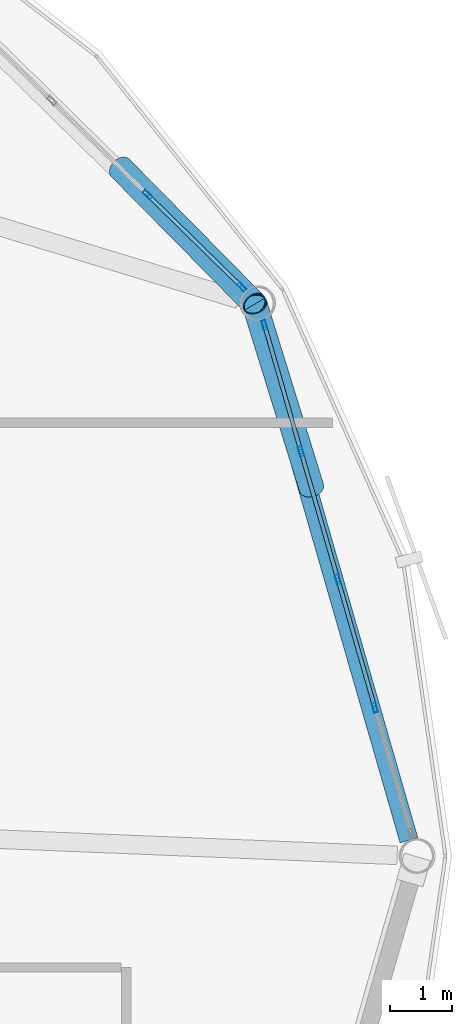
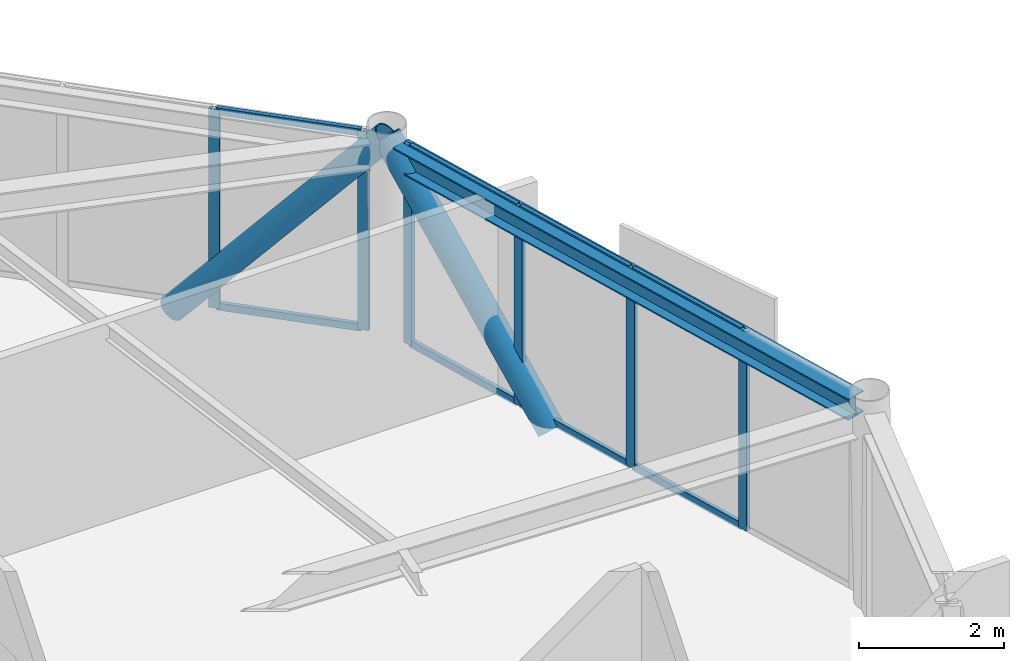
# One storey, part 17 of 26: 16 members, 1 beam, 2 elements without a shape of their own.
"""IFC4 building model written with IfcOpenShell, lengths in metres."""

from ifc_helpers import new_model, si_unit, direction, frame, origin, origin_2d, place, context, subcontext, project, spatial, hollow_rectangle, hollow_circle, i_section, extrude, material, layer, layer_set, material_profile, profile_set, type_object, element, aggregate, save


model = new_model("IFC4")

# Units and contexts
model_context = context("Model", 3, precision=1e-05, world=origin(), true_north=direction((0.0, 1.0)))
body_context = subcontext(model_context, "Body", "Model", "MODEL_VIEW")
ifc_project = project(units=[si_unit("LENGTHUNIT", "METRE"), si_unit("AREAUNIT", "SQUARE_METRE"), si_unit("VOLUMEUNIT", "CUBIC_METRE"), si_unit("PLANEANGLEUNIT", "RADIAN"), si_unit("MASSUNIT", "GRAM", prefix="KILO")], contexts=[model_context])

# Site, building, storey
site_placement = place(None, origin())
site = spatial("IfcSite", under=ifc_project, at=site_placement, CompositionType="ELEMENT")
building_placement = place(site_placement, origin())
building = spatial("IfcBuilding", under=site, at=building_placement, Name="Varnakorn Sky Granary", CompositionType="ELEMENT")
storey_placement = place(building_placement, frame((0.0, 0.0, 256.199951171875)))
storey = spatial("IfcBuildingStorey", under=building, at=storey_placement, Name="L65", CompositionType="ELEMENT", Elevation=256.199951171875)

# Beam
ifc_material_1 = material(Name="Steel S355JR", Category="steel")
ifc_material_profile_1 = material_profile(ifc_material_1, i_section(OverallWidth=0.300048828125, OverallDepth=0.360107421875, WebThickness=0.012451171875, FlangeThickness=0.0224609375, at=origin_2d()), Name="HE 360 B")
ifc_profile_set_1 = profile_set([ifc_material_profile_1], Name="Steel S355JR")
beam_type = type_object("IfcBeamType", Name="BM-SPD-Z5", PredefinedType="SPANDREL", material=ifc_profile_set_1)
beam_placement = place(storey_placement, frame((23.06884765625, 0.254150390625, 3.179931640625), z_axis=(-0.276662358979, 0.960967189411, 0.0), x_axis=(-0.960967189411, -0.276662358979, 0.0)))
element("IfcBeam", 1, at=beam_placement, inside=storey, type_object=beam_type, Name="Perimeter Spandrel Ring Beam RB01 L65", PredefinedType="SPANDREL", context=body_context, shape_type="SweptSolid", body=[
    extrude(i_section(OverallWidth=0.300048828125, OverallDepth=0.360107421875, WebThickness=0.012451171875, FlangeThickness=0.0224609375, at=origin_2d()), origin(), (0.0, 0.0, 1.0), 8.751220703125),
])

# Curtain wall, members
ifc_material_2 = material(Name="Anodised Bronze Aluminium Alloy 6063-T6", Category="aluminium")
ifc_layer = layer(ifc_material_2, 0.159912109375, Name="Anodised Bronze Aluminium Alloy 6063-T6")
ifc_layer_set = layer_set([ifc_layer], Name="Anodised Bronze Aluminium Alloy 6063-T6")
curtain_wall_type = type_object("IfcCurtainWallType", Name="CW-OFF-1", PredefinedType="USERDEFINED", material=ifc_layer_set)
curtain_wall_1_placement = place(storey_placement, origin())
curtain_wall_1 = element("IfcCurtainWall", 2, at=curtain_wall_1_placement, inside=storey, type_object=curtain_wall_type, Name="Unitised Curtain Wall CW6 CW-L65-B01", ObjectType="CURTAIN WALL", PredefinedType="USERDEFINED")
ifc_material_profile_2 = material_profile(ifc_material_2, hollow_rectangle(XDim=0.06494140625, YDim=0.159912109375, WallThickness=0.00341796875, at=origin_2d()), Name="ALU MULL 65x160")
ifc_profile_set_2 = profile_set([ifc_material_profile_2], Name="Anodised Bronze Aluminium Alloy 6063-T6")
member_type_1 = type_object("IfcMemberType", Name="CW-OFF-1-MULL", PredefinedType="MULLION", material=ifc_profile_set_2)
member_1_placement = place(storey_placement, frame((20.736328125, 8.57763671875, 0.0), z_axis=(0.0, 0.0, 1.0), x_axis=(0.960845569821, 0.277084447334, 0.0)))
member_1 = element("IfcMember", 3, at=member_1_placement, type_object=member_type_1, Name="CW6 mullion 1", PredefinedType="MULLION", context=body_context, shape_type="SweptSolid", body=[
    extrude(hollow_rectangle(XDim=0.06494140625, YDim=0.159912109375, WallThickness=0.00341796875, at=origin_2d()), origin(), (0.0, 0.0, 1.0), 3.360107421875),
])
member_2_placement = place(storey_placement, frame((21.324462890625, 6.5380859375, 0.0), z_axis=(0.0, 0.0, 1.0), x_axis=(0.960845569821, 0.277084447334, 0.0)))
member_2 = element("IfcMember", 4, at=member_2_placement, type_object=member_type_1, Name="CW6 mullion 2", PredefinedType="MULLION", context=body_context, shape_type="SweptSolid", body=[
    extrude(hollow_rectangle(XDim=0.06494140625, YDim=0.159912109375, WallThickness=0.00341796875, at=origin_2d()), origin(), (0.0, 0.0, 1.0), 3.360107421875),
])
member_3_placement = place(storey_placement, frame((21.921630859375, 4.467529296875, 0.0), z_axis=(0.0, 0.0, 1.0), x_axis=(0.960845569821, 0.277084447334, 0.0)))
member_3 = element("IfcMember", 5, at=member_3_placement, type_object=member_type_1, Name="CW6 mullion 3", PredefinedType="MULLION", context=body_context, shape_type="SweptSolid", body=[
    extrude(hollow_rectangle(XDim=0.06494140625, YDim=0.159912109375, WallThickness=0.00341796875, at=origin_2d()), origin(), (0.0, 0.0, 1.0), 3.360107421875),
])
member_4_placement = place(storey_placement, frame((22.518798828125, 2.396728515625, 0.0), z_axis=(0.0, 0.0, 1.0), x_axis=(0.960845569821, 0.277084447334, 0.0)))
member_4 = element("IfcMember", 6, at=member_4_placement, type_object=member_type_1, Name="CW6 mullion 4", PredefinedType="MULLION", context=body_context, shape_type="SweptSolid", body=[
    extrude(hollow_rectangle(XDim=0.06494140625, YDim=0.159912109375, WallThickness=0.00341796875, at=origin_2d()), origin(), (0.0, 0.0, 1.0), 3.360107421875),
])

curtain_wall_2_placement = place(storey_placement, origin())
curtain_wall_2 = element("IfcCurtainWall", 7, at=curtain_wall_2_placement, inside=storey, type_object=curtain_wall_type, Name="Unitised Curtain Wall CW6 CW-L65-B02", ObjectType="CURTAIN WALL", PredefinedType="USERDEFINED")
member_5_placement = place(storey_placement, frame((18.844482421875, 10.68896484375, 0.0), z_axis=(0.0, 0.0, 1.0), x_axis=(0.700118147913, 0.71402701557, 0.0)))
member_5 = element("IfcMember", 8, at=member_5_placement, type_object=member_type_1, Name="CW6 mullion 4", PredefinedType="MULLION", context=body_context, shape_type="SweptSolid", body=[
    extrude(hollow_rectangle(XDim=0.06494140625, YDim=0.159912109375, WallThickness=0.00341796875, at=origin_2d()), origin(), (0.0, 0.0, 1.0), 3.360107421875),
])
member_6_placement = place(storey_placement, frame((20.36767578125, 9.195556640625, 0.0), z_axis=(0.0, 0.0, 1.0), x_axis=(0.700118147913, 0.71402701557, 0.0)))
member_6 = element("IfcMember", 9, at=member_6_placement, type_object=member_type_1, Name="CW6 mullion 5", PredefinedType="MULLION", context=body_context, shape_type="SweptSolid", body=[
    extrude(hollow_rectangle(XDim=0.06494140625, YDim=0.159912109375, WallThickness=0.00341796875, at=origin_2d()), origin(), (0.0, 0.0, 1.0), 3.360107421875),
])

# Member
ifc_material_profile_3 = material_profile(ifc_material_2, hollow_rectangle(XDim=0.06494140625, YDim=0.1201171875, WallThickness=0.00341796875, at=origin_2d()), Name="ALU TRAN 65x120")
ifc_profile_set_3 = profile_set([ifc_material_profile_3], Name="Anodised Bronze Aluminium Alloy 6063-T6")
member_type_2 = type_object("IfcMemberType", Name="CW-OFF-1-TRAN", PredefinedType="USERDEFINED", material=ifc_profile_set_3)
member_7_placement = place(storey_placement, frame((20.745361328125, 8.54638671875, 0.032470703125), z_axis=(0.277055324122, -0.960853967768, 0.0), x_axis=(0.960853967768, 0.277055324122, 0.0)))
member_7 = element("IfcMember", 10, at=member_7_placement, type_object=member_type_2, Name="CW6 transom 1.1", ObjectType="TRANSOM", PredefinedType="USERDEFINED", context=body_context, shape_type="SweptSolid", body=[
    extrude(hollow_rectangle(XDim=0.06494140625, YDim=0.1201171875, WallThickness=0.00341796875, at=origin_2d()), origin(), (0.0, 0.0, 1.0), 2.0576171875),
])

member_8_placement = place(storey_placement, frame((20.745361328125, 8.54638671875, 3.32763671875), z_axis=(0.277055324122, -0.960853967768, 0.0), x_axis=(0.960853967768, 0.277055324122, 0.0)))
member_8 = element("IfcMember", 11, at=member_8_placement, type_object=member_type_2, Name="CW6 transom 1.2", ObjectType="TRANSOM", PredefinedType="USERDEFINED", context=body_context, shape_type="SweptSolid", body=[
    extrude(hollow_rectangle(XDim=0.06494140625, YDim=0.1201171875, WallThickness=0.00341796875, at=origin_2d()), origin(), (0.0, 0.0, 1.0), 2.0576171875),
])

member_9_placement = place(storey_placement, frame((21.33349609375, 6.5068359375, 0.032470703125), z_axis=(0.277096357962, -0.960842135007, 0.0), x_axis=(0.960842135007, 0.277096357962, 0.0)))
member_9 = element("IfcMember", 12, at=member_9_placement, type_object=member_type_2, Name="CW6 transom 2.1", ObjectType="TRANSOM", PredefinedType="USERDEFINED", context=body_context, shape_type="SweptSolid", body=[
    extrude(hollow_rectangle(XDim=0.06494140625, YDim=0.1201171875, WallThickness=0.00341796875, at=origin_2d()), origin(), (0.0, 0.0, 1.0), 2.08984375),
])

member_10_placement = place(storey_placement, frame((21.33349609375, 6.5068359375, 3.32763671875), z_axis=(0.277096357962, -0.960842135007, 0.0), x_axis=(0.960842135007, 0.277096357962, 0.0)))
member_10 = element("IfcMember", 13, at=member_10_placement, type_object=member_type_2, Name="CW6 transom 2.2", ObjectType="TRANSOM", PredefinedType="USERDEFINED", context=body_context, shape_type="SweptSolid", body=[
    extrude(hollow_rectangle(XDim=0.06494140625, YDim=0.1201171875, WallThickness=0.00341796875, at=origin_2d()), origin(), (0.0, 0.0, 1.0), 2.08984375),
])

member_11_placement = place(storey_placement, frame((21.9306640625, 4.436279296875, 0.032470703125), z_axis=(0.277065258543, -0.960851103194, 0.0), x_axis=(0.960851103194, 0.277065258543, 0.0)))
member_11 = element("IfcMember", 14, at=member_11_placement, type_object=member_type_2, Name="CW6 transom 3.1", ObjectType="TRANSOM", PredefinedType="USERDEFINED", context=body_context, shape_type="SweptSolid", body=[
    extrude(hollow_rectangle(XDim=0.06494140625, YDim=0.1201171875, WallThickness=0.00341796875, at=origin_2d()), origin(), (0.0, 0.0, 1.0), 2.090087890625),
])

member_12_placement = place(storey_placement, frame((21.9306640625, 4.436279296875, 3.32763671875), z_axis=(0.277065258543, -0.960851103194, 0.0), x_axis=(0.960851103194, 0.277065258543, 0.0)))
member_12 = element("IfcMember", 15, at=member_12_placement, type_object=member_type_2, Name="CW6 transom 3.2", ObjectType="TRANSOM", PredefinedType="USERDEFINED", context=body_context, shape_type="SweptSolid", body=[
    extrude(hollow_rectangle(XDim=0.06494140625, YDim=0.1201171875, WallThickness=0.00341796875, at=origin_2d()), origin(), (0.0, 0.0, 1.0), 2.090087890625),
])

aggregate(curtain_wall_1, [member_1, member_2, member_3, member_4, member_7, member_8, member_9, member_10, member_11, member_12])

member_13_placement = place(storey_placement, frame((18.86767578125, 10.666259765625, 0.032470703125), z_axis=(0.714036969685, -0.7001079959, 0.0), x_axis=(0.7001079959, 0.714036969685, 0.0)))
member_13 = element("IfcMember", 16, at=member_13_placement, type_object=member_type_2, Name="CW6 transom 4.1", ObjectType="TRANSOM", PredefinedType="USERDEFINED", context=body_context, shape_type="SweptSolid", body=[
    extrude(hollow_rectangle(XDim=0.06494140625, YDim=0.1201171875, WallThickness=0.00341796875, at=origin_2d()), origin(), (0.0, 0.0, 1.0), 2.068359375),
])

member_14_placement = place(storey_placement, frame((18.86767578125, 10.666259765625, 3.32763671875), z_axis=(0.714036969685, -0.7001079959, 0.0), x_axis=(0.7001079959, 0.714036969685, 0.0)))
member_14 = element("IfcMember", 17, at=member_14_placement, type_object=member_type_2, Name="CW6 transom 4.2", ObjectType="TRANSOM", PredefinedType="USERDEFINED", context=body_context, shape_type="SweptSolid", body=[
    extrude(hollow_rectangle(XDim=0.06494140625, YDim=0.1201171875, WallThickness=0.00341796875, at=origin_2d()), origin(), (0.0, 0.0, 1.0), 2.068359375),
])

aggregate(curtain_wall_2, [member_5, member_6, member_13, member_14])

# Members
ifc_material_3 = material(Name="Steel S460M", Category="steel")
ifc_material_profile_4 = material_profile(ifc_material_3, hollow_circle(Radius=0.203125, WallThickness=0.01611328125, at=origin_2d()), Name="CHS 406.4x16")
ifc_profile_set_4 = profile_set([ifc_material_profile_4], Name="Steel S460M")
member_type_3 = type_object("IfcMemberType", Name="MB-DIAG-T4", PredefinedType="BRACE", material=ifc_profile_set_4)
member_15_placement = place(storey_placement, frame((21.4921875, 5.956787109375, -0.1298828125), z_axis=(-0.196596291847, 0.634348609687, 0.747630750719), x_axis=(-0.955179373427, -0.296027641579, 0.0)))
element("IfcMember", 18, at=member_15_placement, inside=storey, type_object=member_type_3, Name="Perimeter CHS Diagrid Brace DG01 L65", PredefinedType="BRACE", context=body_context, shape_type="SweptSolid", body=[
    extrude(hollow_circle(Radius=0.203125, WallThickness=0.01611328125, at=origin_2d()), origin(), (0.0, 0.0, 1.0), 4.66796875),
])
member_16_placement = place(storey_placement, frame((18.40966796875, 11.115234375, -0.1298828125), z_axis=(0.464775779747, -0.471747154361, 0.749291730177), x_axis=(0.712350671031, 0.701823711114, 0.0)))
element("IfcMember", 19, at=member_16_placement, inside=storey, type_object=member_type_3, Name="Perimeter CHS Diagrid Brace DG02 L65", PredefinedType="BRACE", context=body_context, shape_type="SweptSolid", body=[
    extrude(hollow_circle(Radius=0.203125, WallThickness=0.01611328125, at=origin_2d()), origin(), (0.0, 0.0, 1.0), 4.65771484375),
])

save(model, "model.ifc")
